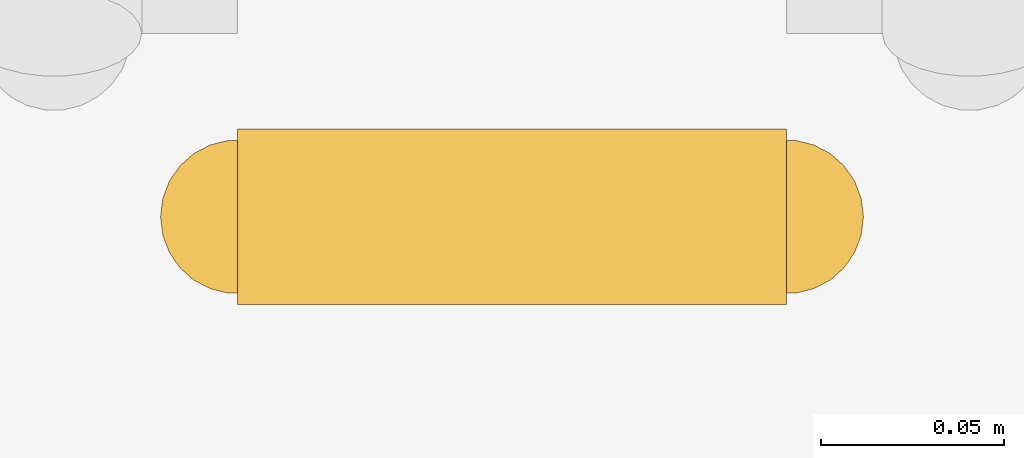
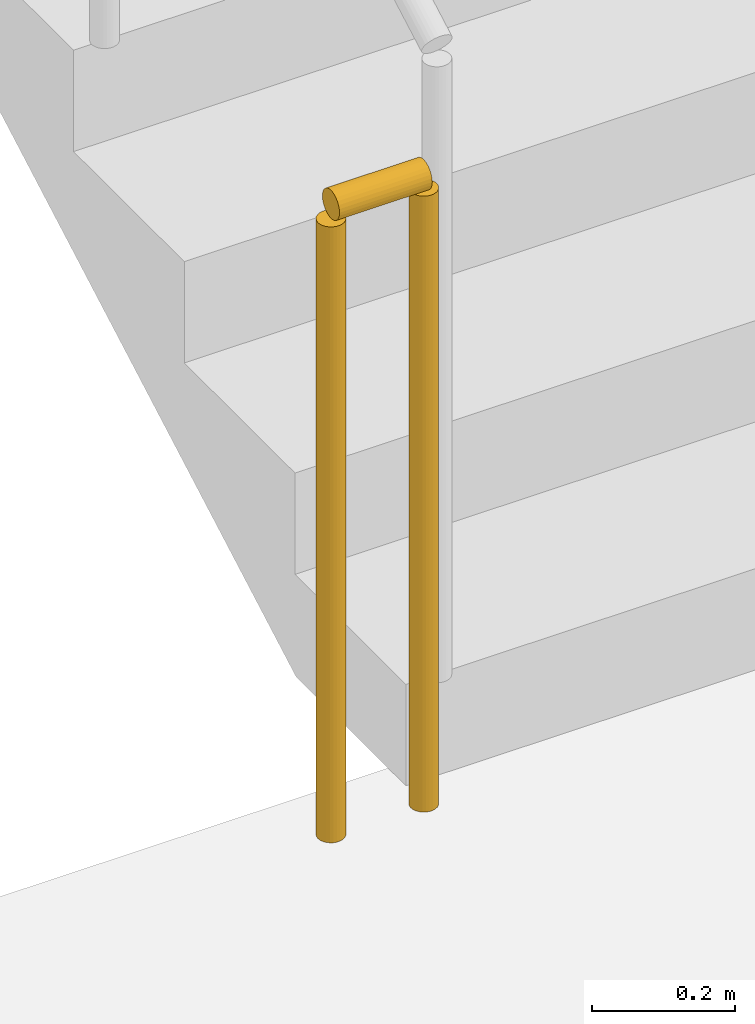
# One storey, part 28 of 32: 1 railing.
"""IFC4 building model written with IfcOpenShell, lengths in metres."""

from ifc_helpers import new_model, si_unit, direction, frame, origin, origin_2d, place, context, subcontext, project, spatial, circle, extrude, material, type_object, element, save


model = new_model("IFC4")

# Units and contexts
model_context = context("Model", 3, precision=1e-05, world=origin(), true_north=direction((0.0, 1.0)))
body_context = subcontext(model_context, "Body", "Model", "MODEL_VIEW")
ifc_project = project(units=[si_unit("LENGTHUNIT", "METRE"), si_unit("AREAUNIT", "SQUARE_METRE"), si_unit("VOLUMEUNIT", "CUBIC_METRE"), si_unit("PLANEANGLEUNIT", "RADIAN"), si_unit("MASSUNIT", "GRAM", prefix="KILO")], contexts=[model_context])

# Site, building, storey
site_placement = place(None, origin())
site = spatial("IfcSite", under=ifc_project, at=site_placement, CompositionType="ELEMENT")
building_placement = place(site_placement, origin())
building = spatial("IfcBuilding", under=site, at=building_placement, Name="Madar Terraces", CompositionType="ELEMENT")
storey_placement = place(building_placement, frame((0.0, 0.0, 19.5)))
storey = spatial("IfcBuildingStorey", under=building, at=storey_placement, Name="L04", CompositionType="ELEMENT", Elevation=19.5)

# Railing
ifc_material = material(Name="Stainless steel railing", Category="steel")
railing_type = type_object("IfcRailingType", Name="Stair guard 1100", PredefinedType="GUARDRAIL", material=ifc_material)
railing_placement = place(storey_placement, frame((21.14990234375, 17.550048828125, 0.0)))
element("IfcRailing", 1, at=railing_placement, inside=storey, type_object=railing_type, Name="L04 ST1 stair guard 4", PredefinedType="GUARDRAIL", context=body_context, shape_type="SweptSolid", body=[
    extrude(circle(Radius=0.02392578125, at=origin_2d()), frame((0.0, 0.0, 1.076171875), z_axis=(-1.0, 0.0, 0.0), x_axis=(0.0, -1.0, 0.0)), (0.0, 0.0, 1.0), 0.14990234375),
    extrude(circle(Radius=0.02099609375, at=origin_2d()), origin(), (0.0, 0.0, 1.0), 1.052001953125),
    extrude(circle(Radius=0.02099609375, at=origin_2d()), frame((-0.14990234375, 0.0, 0.0)), (0.0, 0.0, 1.0), 1.052001953125),
])

save(model, "model.ifc")
